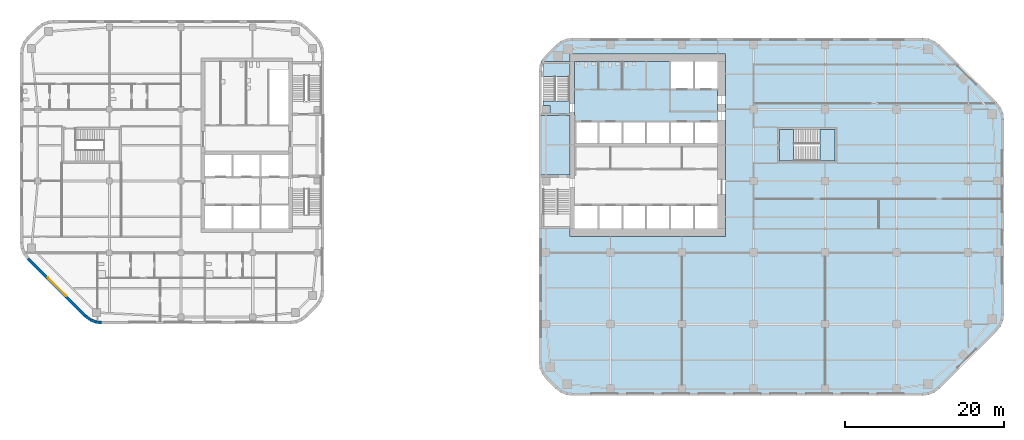
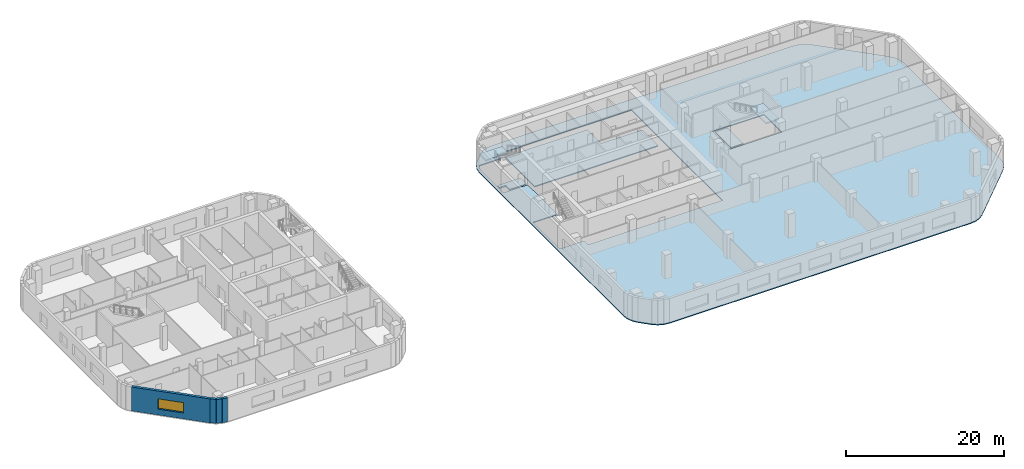
# One storey, part 4 of 15: 6 slabs, 4 walls, 1 window, 1 opening, 2 elements without a shape of their own.
"""IFC4 building model written with IfcOpenShell, lengths in metres."""

from ifc_helpers import new_model, si_unit, direction, frame, frame_2d, origin, place, context, subcontext, project, spatial, polyline, rectangle, outline, extrude, material, layer, layer_set, type_object, element, fill, aggregate, save


model = new_model("IFC4")

# Units and contexts
model_context = context("Model", 3, precision=1e-05, world=origin(), true_north=direction((0.0, 1.0)))
body_context = subcontext(model_context, "Body", "Model", "MODEL_VIEW")
ifc_project = project(units=[si_unit("LENGTHUNIT", "METRE"), si_unit("AREAUNIT", "SQUARE_METRE"), si_unit("VOLUMEUNIT", "CUBIC_METRE"), si_unit("PLANEANGLEUNIT", "RADIAN"), si_unit("MASSUNIT", "GRAM", prefix="KILO")], contexts=[model_context])

# Site, building, storey
site_placement = place(None, origin())
site = spatial("IfcSite", under=ifc_project, at=site_placement, CompositionType="ELEMENT")
building_placement = place(site_placement, origin())
building = spatial("IfcBuilding", under=site, at=building_placement, Name="Cinnabar Reach Civic Tower", CompositionType="ELEMENT")
storey_placement = place(building_placement, frame((0.0, 0.0, 91.0)))
storey = spatial("IfcBuildingStorey", under=building, at=storey_placement, Name="L21", CompositionType="ELEMENT", Elevation=91.0)

# Slab
ifc_material_1 = material(Name="Concrete C40", Category="concrete")
ifc_layer_1 = layer(ifc_material_1, 0.15)
ifc_layer_set_1 = layer_set([ifc_layer_1], Name="Composite floor slab 150 REI 150")
slab_type_1 = type_object("IfcSlabType", Name="Composite floor slab 150 REI 150", PredefinedType="FLOOR", material=ifc_layer_set_1)
slab_1_placement = place(storey_placement, frame((0.0, 0.0, -0.15)))
element("IfcSlab", 1, at=slab_1_placement, inside=storey, type_object=slab_type_1, Name="Composite floor slab 150 T1 L21", PredefinedType="FLOOR", context=body_context, shape_type="SweptSolid", body=[
    extrude(outline(polyline([(0.8787, 2.1213), (0.4019, 2.7426), (0.1022, 3.4662), (0.0, 4.2426), (0.0, 40.7574), (0.1022, 41.5338), (0.4019, 42.2574), (0.8787, 42.8787), (2.1213, 44.1213), (2.7426, 44.5981), (3.4662, 44.8978), (4.2426, 45.0), (48.2574, 45.0), (49.0338, 44.8978), (49.7574, 44.5981), (50.3787, 44.1213), (57.6213, 36.8787), (58.0981, 36.2574), (58.3978, 35.5338), (58.5, 34.7574), (58.5, 10.2426), (58.3978, 9.4662), (58.0981, 8.7426), (57.6213, 8.1213), (50.3787, 0.8787), (49.7574, 0.4019), (49.0338, 0.1022), (48.2574, 0.0), (4.2426, 0.0), (3.4662, 0.1022), (2.7426, 0.4019), (2.1213, 0.8787), (0.8787, 2.1213)]), holes=[polyline([(0.36, 21.0), (3.9, 21.0), (3.9, 20.0), (23.5, 20.0), (23.5, 43.0), (3.9, 43.0), (3.9, 42.0), (0.685, 42.0), (0.453, 41.4398), (0.36, 40.7338), (0.36, 35.25), (3.9, 35.25), (3.9, 27.75), (0.36, 27.75), (0.36, 21.0)]), polyline([(30.0, 33.75), (30.0, 29.25), (37.5, 29.25), (37.5, 33.75), (30.0, 33.75)])]), origin(), (0.0, 0.0, 1.0), 0.15),
])

# Stair, slabs
ifc_material_2 = material(Name="Concrete C40/50", Category="concrete")
stair_type = type_object("IfcStairType", Name="T1 Exit stair, half-turn", PredefinedType="HALF_TURN_STAIR", material=ifc_material_2)
stair_1_placement = place(storey_placement, origin())
stair_1 = element("IfcStair", 2, at=stair_1_placement, inside=storey, type_object=stair_type, Name="Stair T1-S2", PredefinedType="HALF_TURN_STAIR")
ifc_layer_2 = layer(ifc_material_2, 0.2)
ifc_layer_set_2 = layer_set([ifc_layer_2], Name="T1 Stair landing 200, Concrete C40/50")
slab_type_2 = type_object("IfcSlabType", Name="T1 Stair landing 200, Concrete C40/50", PredefinedType="LANDING", material=ifc_layer_set_2)
slab_2_placement = place(storey_placement, frame((0.0, 0.0, -0.2)))
slab_2 = element("IfcSlab", 3, at=slab_2_placement, type_object=slab_type_2, Name="T1-S2 landing 1", PredefinedType="LANDING", context=body_context, shape_type="SweptSolid", body=[
    extrude(outline(polyline([(0.5, 37.05), (3.9, 37.05), (3.9, 35.5), (1.4, 35.5), (1.4, 36.5), (0.5, 36.5), (0.5, 37.05)])), origin(), (0.0, 0.0, 1.0), 0.2),
])
slab_3_placement = place(storey_placement, frame((0.0, 0.0, 1.8)))
slab_3 = element("IfcSlab", 4, at=slab_3_placement, type_object=slab_type_2, Name="T1-S2 landing 2", PredefinedType="LANDING", context=body_context, shape_type="SweptSolid", body=[
    extrude(outline(polyline([(0.6, 40.13), (0.6, 41.75), (3.9, 41.75), (3.9, 40.13), (0.6, 40.13)])), origin(), (0.0, 0.0, 1.0), 0.2),
])
aggregate(stair_1, [slab_2, slab_3])

stair_2_placement = place(storey_placement, origin())
stair_2 = element("IfcStair", 5, at=stair_2_placement, inside=storey, type_object=stair_type, Name="Stair T1-S3", PredefinedType="HALF_TURN_STAIR")
slab_4_placement = place(storey_placement, frame((0.0, 0.0, -0.2)))
slab_4 = element("IfcSlab", 6, at=slab_4_placement, type_object=slab_type_2, Name="T1-S3 landing 1", PredefinedType="LANDING", context=body_context, shape_type="SweptSolid", body=[
    extrude(outline(polyline([(30.25, 29.5), (32.05, 29.5), (32.05, 33.5), (30.25, 33.5), (30.25, 29.5)])), origin(), (0.0, 0.0, 1.0), 0.2),
])
slab_5_placement = place(storey_placement, frame((0.0, 0.0, 1.8)))
slab_5 = element("IfcSlab", 7, at=slab_5_placement, type_object=slab_type_2, Name="T1-S3 landing 2", PredefinedType="LANDING", context=body_context, shape_type="SweptSolid", body=[
    extrude(outline(polyline([(35.35, 29.5), (37.25, 29.5), (37.25, 33.5), (35.35, 33.5), (35.35, 29.5)])), origin(), (0.0, 0.0, 1.0), 0.2),
])
aggregate(stair_2, [slab_4, slab_5])

# Slab
ifc_layer_3 = layer(ifc_material_2, 0.15)
ifc_layer_set_3 = layer_set([ifc_layer_3], Name="T1 core floor slab 150")
slab_type_3 = type_object("IfcSlabType", Name="T1 core floor slab 150", PredefinedType="FLOOR", material=ifc_layer_set_3)
slab_6_placement = place(storey_placement, frame((0.0, 0.0, -0.15)))
element("IfcSlab", 8, at=slab_6_placement, inside=storey, type_object=slab_type_3, Name="Core floor slab L21", PredefinedType="FLOOR", context=body_context, shape_type="SweptSolid", body=[
    extrude(outline(polyline([(22.5, 34.5), (19.5, 34.5), (16.5, 34.5), (13.5, 34.5), (10.5, 34.5), (7.5, 34.5), (4.5, 34.5), (4.5, 42.0), (16.5, 42.0), (16.5, 38.5), (19.5, 38.5), (22.5, 38.5), (22.5, 34.5)])), origin(), (0.0, 0.0, 1.0), 0.15),
])

# Walls
ifc_material_3 = material(Name="Facing brick with insulated backing", Category="masonry")
ifc_layer_4 = layer(ifc_material_3, 0.36)
ifc_layer_set_4 = layer_set([ifc_layer_4], Name="Brick corner wall")
wall_type_1 = type_object("IfcWallType", Name="Brick corner wall", PredefinedType="STANDARD", material=ifc_layer_set_4)
wall_1_placement = place(storey_placement, frame((-56.9913, 10.0002, 0.0), z_axis=(0.0, 0.0, 1.0), x_axis=(0.793321924995, -0.608802368033, 0.0)))
element("IfcWall", 9, at=wall_1_placement, inside=storey, type_object=wall_type_1, Name="Brick corner wall", PredefinedType="STANDARD", context=body_context, shape_type="SweptSolid", body=[
    extrude(rectangle(XDim=0.7132, YDim=0.36, at=frame_2d((0.3566, 0.0))), origin(), (0.0, 0.0, 1.0), 3.7),
])
for number, where, z_axis, x_axis, name in (
    (10, (-56.4061, 9.5548, 0.0), (0.0, 0.0, 1.0), (0.923871547278, -0.382702709855, 0.0), "Brick corner wall"),
    (11, (-55.7256, 9.2761, 0.0), (0.0, 0.0, 1.0), (0.99144092581, -0.13055608231, 0.0), "Brick corner wall"),
):
    element("IfcWall", number, at=place(storey_placement, frame(where, z_axis=z_axis, x_axis=x_axis)), inside=storey, type_object=wall_type_1, Name=name, PredefinedType="STANDARD", context=body_context, shape_type="SweptSolid", body=[
        extrude(rectangle(XDim=0.7131, YDim=0.36, at=frame_2d((0.3565, 0.0))), origin(), (0.0, 0.0, 1.0), 3.7),
    ])

# Wall, opening, window
ifc_layer_5 = layer(ifc_material_3, 0.36)
ifc_layer_set_5 = layer_set([ifc_layer_5], Name="Brick pier and spandrel wall")
wall_type_2 = type_object("IfcWallType", Name="Brick pier and spandrel wall", PredefinedType="STANDARD", material=ifc_layer_set_5)
wall_2_placement = place(storey_placement, frame((-64.244, 17.2486, 0.0), z_axis=(0.0, 0.0, 1.0), x_axis=(0.707106781187, -0.707106781187, 0.0)))
wall_2 = element("IfcWall", 12, at=wall_2_placement, inside=storey, type_object=wall_type_2, Name="Brick facade wall", PredefinedType="STANDARD", context=body_context, shape_type="SweptSolid", body=[
    extrude(rectangle(XDim=10.2426, YDim=0.36, at=frame_2d((5.1213, 0.0))), origin(), (0.0, 0.0, 1.0), 3.7),
])
opening_placement = place(wall_2_placement, frame((3.4713, 0.0, 0.9)))
opening = element("IfcOpeningElement", 13, at=opening_placement, cuts=wall_2, Name="Opening W2653", PredefinedType="OPENING", context=body_context, shape_type="SweptSolid", body=[
    extrude(rectangle(XDim=3.3, YDim=1.6, at=frame_2d((1.65, 0.8))), frame((0.0, 0.19, 0.0), z_axis=(0.0, -1.0, 0.0), x_axis=(1.0, 0.0, 0.0)), (0.0, 0.0, 1.0), 0.38),
])
ifc_material_4 = material(Name="Clear double glazing in aluminium frame", Category="aluminium")
window_type = type_object("IfcWindowType", Name="Deep-set window A", PartitioningType="SINGLE_PANEL", PredefinedType="WINDOW", material=ifc_material_4)
window_placement = place(opening_placement, origin())
window = element("IfcWindow", 14, at=window_placement, inside=storey, type_object=window_type, Name="Window southwest face", OverallHeight=1.6, OverallWidth=3.3, PartitioningType="SINGLE_PANEL", PredefinedType="WINDOW", context=body_context, shape_type="SweptSolid", body=[
    extrude(rectangle(XDim=3.3, YDim=1.6, at=frame_2d((1.65, 0.8))), frame((0.0, 0.13, 0.0), z_axis=(0.0, -1.0, 0.0), x_axis=(1.0, 0.0, 0.0)), (0.0, 0.0, 1.0), 0.06),
])
fill(opening, window)

save(model, "model.ifc")
